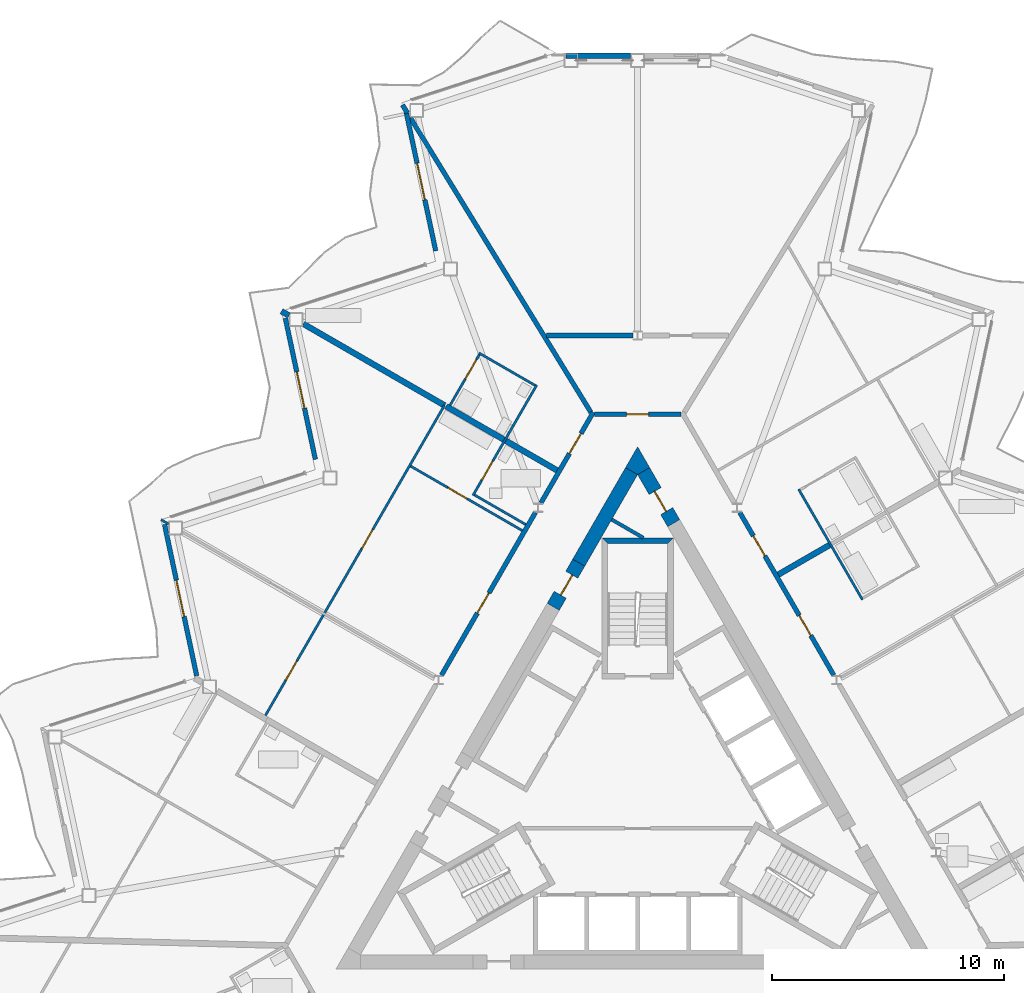
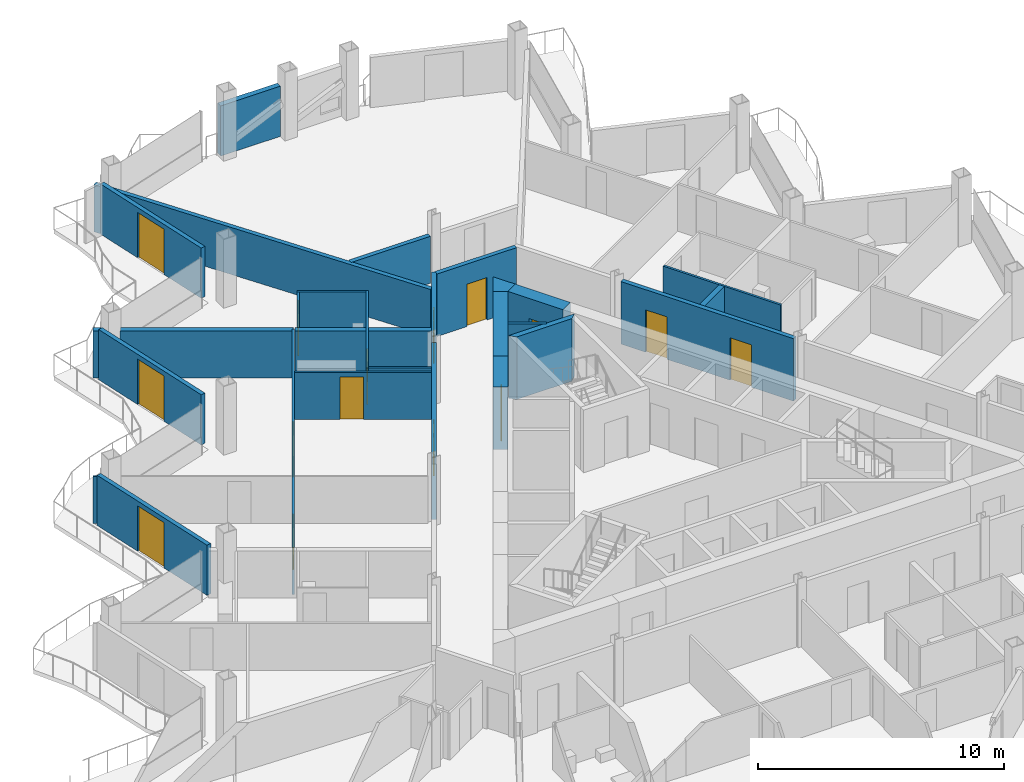
# One storey, part 18 of 28: 29 walls, 15 doors, 15 openings.
"""IFC4 building model written with IfcOpenShell, lengths in metres."""

from ifc_helpers import new_model, si_unit, direction, frame, frame_2d, origin, place, context, subcontext, project, spatial, polyline, rectangle, outline, extrude, material, layer, layer_set, type_object, element, fill, save


model = new_model("IFC4")

# Units and contexts
model_context = context("Model", 3, precision=1e-05, world=origin(), true_north=direction((0.0, 1.0)))
body_context = subcontext(model_context, "Body", "Model", "MODEL_VIEW")
ifc_project = project(units=[si_unit("LENGTHUNIT", "METRE"), si_unit("AREAUNIT", "SQUARE_METRE"), si_unit("VOLUMEUNIT", "CUBIC_METRE"), si_unit("PLANEANGLEUNIT", "RADIAN"), si_unit("MASSUNIT", "GRAM", prefix="KILO")], contexts=[model_context])

# Site, building, storey
site_placement = place(None, origin())
site = spatial("IfcSite", under=ifc_project, at=site_placement, CompositionType="ELEMENT")
building_placement = place(site_placement, origin())
building = spatial("IfcBuilding", under=site, at=building_placement, Name="Cormorant Prow Tower", CompositionType="ELEMENT")
storey_placement = place(building_placement, frame((0.0, 0.0, 308.60009765625)))
storey = spatial("IfcBuildingStorey", under=building, at=storey_placement, Name="L67", CompositionType="ELEMENT", Elevation=308.60009765625)

# Walls
ifc_material_1 = material(Name="Gypsum board partition")
ifc_layer_1 = layer(ifc_material_1, 0.14990234375)
ifc_layer_set_1 = layer_set([ifc_layer_1], Name="Gypsum board partition")
wall_type_1 = type_object("IfcWallType", Name="Core partition 150", PredefinedType="PARTITIONING", material=ifc_layer_set_1)
wall_1_placement = place(storey_placement, frame((-1.119140625, 11.872802734375, 0.0), z_axis=(0.0, 0.0, 1.0), x_axis=(0.865992812752, -0.500056445075, 0.0)))
element("IfcWall", 1, at=wall_1_placement, inside=storey, type_object=wall_type_1, Name="Service room partition", PredefinedType="PARTITIONING", context=body_context, shape_type="SweptSolid", body=[
    extrude(rectangle(XDim=1.581787109375, YDim=0.14990234375, at=frame_2d((0.791015625, 0.0))), origin(), (0.0, 0.0, 1.0), 3.099853515625),
])
ifc_material_2 = material(Name="Concrete 8000 psi", Category="concrete")
ifc_layer_2 = layer(ifc_material_2, 0.60009765625)
ifc_layer_set_2 = layer_set([ifc_layer_2], Name="Concrete 8000 psi")
wall_type_2 = type_object("IfcWallType", Name="Core shear wall 600", PredefinedType="SHEAR", material=ifc_layer_set_2)
wall_2_placement = place(storey_placement, frame((-0.259765625, 13.961181640625, 0.0), z_axis=(0.0, 0.0, 1.0), x_axis=(-0.499980485389, -0.866036670257, 0.0)))
element("IfcWall", 2, at=wall_2_placement, inside=storey, type_object=wall_type_2, Name="Core wall", PredefinedType="SHEAR", context=body_context, shape_type="SweptSolid", body=[
    extrude(rectangle(XDim=4.559326171875, YDim=0.60009765625, at=frame_2d((2.27978515625, 0.0))), origin(), (0.0, 0.0, 1.0), 3.099853515625),
])
wall_3_placement = place(storey_placement, origin())
element("IfcWall", 3, at=wall_3_placement, inside=storey, type_object=wall_type_2, Name="Core wall corner", PredefinedType="SHEAR", context=body_context, shape_type="SweptSolid", body=[
    extrude(outline(polyline([(-0.51953125, 14.111083984375), (0.0, 15.010986328125), (0.51953125, 14.111083984375), (0.0, 13.81103515625), (-0.51953125, 14.111083984375)])), origin(), (0.0, 0.0, 1.0), 3.099853515625),
])

# Wall, opening, door
wall_4_placement = place(storey_placement, frame((-2.539306640625, 10.0126953125, 0.0), z_axis=(0.0, 0.0, 1.0), x_axis=(-0.50002983664, -0.866008176907, 0.0)))
wall_4 = element("IfcWall", 4, at=wall_4_placement, inside=storey, type_object=wall_type_2, Name="Core wall door panel", PredefinedType="SHEAR", context=body_context, shape_type="SweptSolid", body=[
    extrude(rectangle(XDim=2.199951171875, YDim=0.60009765625, at=frame_2d((1.10009765625, 0.0))), origin(), (0.0, 0.0, 1.0), 3.099853515625),
])
opening_1_placement = place(wall_4_placement, frame((0.60009765625, 0.0, 0.0)))
opening_1 = element("IfcOpeningElement", 5, at=opening_1_placement, cuts=wall_4, Name="Opening L67-C19", PredefinedType="OPENING", context=body_context, shape_type="SweptSolid", body=[
    extrude(rectangle(XDim=1.0, YDim=2.10009765625, at=frame_2d((0.5, 1.050048828125))), frame((0.0, 0.31005859375, 0.0), z_axis=(0.0, -1.0, 0.0), x_axis=(1.0, 0.0, 0.0)), (0.0, 0.0, 1.0), 0.6201171875),
])
ifc_material_3 = material(Name="Painted steel", Category="steel")
door_type_1 = type_object("IfcDoorType", Name="Service door 1000x2100", OperationType="NOTDEFINED", PredefinedType="DOOR", material=ifc_material_3)
door_1_placement = place(opening_1_placement, origin())
door_1 = element("IfcDoor", 6, at=door_1_placement, inside=storey, type_object=door_type_1, Name="Core door, Telecom room", OperationType="SINGLE_SWING_LEFT", OverallHeight=2.10009765625, OverallWidth=1.0, PredefinedType="DOOR", context=body_context, shape_type="SweptSolid", body=[
    extrude(rectangle(XDim=1.0, YDim=2.10009765625, at=frame_2d((0.5, 1.050048828125))), frame((0.0, 0.05517578125, 0.0), z_axis=(0.0, -1.0, 0.0), x_axis=(1.0, 0.0, 0.0)), (0.0, 0.0, 1.0), 0.050048828125),
])
fill(opening_1, door_1)

wall_5_placement = place(storey_placement, frame((1.555908203125, 11.71630859375, 0.0), z_axis=(0.0, 0.0, 1.0), x_axis=(-0.500018667571, 0.866014625789, 0.0)))
wall_5 = element("IfcWall", 7, at=wall_5_placement, inside=storey, type_object=wall_type_2, Name="Core wall door panel", PredefinedType="SHEAR", context=body_context, shape_type="SweptSolid", body=[
    extrude(rectangle(XDim=2.59228515625, YDim=0.60009765625, at=frame_2d((1.296142578125, 0.0))), origin(), (0.0, 0.0, 1.0), 3.099853515625),
])
opening_2_placement = place(wall_5_placement, frame((0.60009765625, 0.0, 0.0)))
opening_2 = element("IfcOpeningElement", 8, at=opening_2_placement, cuts=wall_5, Name="Opening L67-C20", PredefinedType="OPENING", context=body_context, shape_type="SweptSolid", body=[
    extrude(rectangle(XDim=1.0, YDim=2.10009765625, at=frame_2d((0.5, 1.050048828125))), frame((0.0, 0.31005859375, 0.0), z_axis=(0.0, -1.0, 0.0), x_axis=(1.0, 0.0, 0.0)), (0.0, 0.0, 1.0), 0.6201171875),
])
door_2_placement = place(opening_2_placement, origin())
door_2 = element("IfcDoor", 9, at=door_2_placement, inside=storey, type_object=door_type_1, Name="Core door, Pantry store", OperationType="SINGLE_SWING_RIGHT", OverallHeight=2.10009765625, OverallWidth=1.0, PredefinedType="DOOR", context=body_context, shape_type="SweptSolid", body=[
    extrude(rectangle(XDim=1.0, YDim=2.10009765625, at=frame_2d((0.5, 1.050048828125))), frame((0.0, 0.05517578125, 0.0), z_axis=(0.0, -1.0, 0.0), x_axis=(1.0, 0.0, 0.0)), (0.0, 0.0, 1.0), 0.050048828125),
])
fill(opening_2, door_2)

# Wall, openings, doors
ifc_material_4 = material(Name="Gypsum board corridor wall")
ifc_layer_3 = layer(ifc_material_4, 0.199951171875)
ifc_layer_set_3 = layer_set([ifc_layer_3], Name="Gypsum board corridor wall")
wall_type_3 = type_object("IfcWallType", Name="Corridor wall 200", PredefinedType="PARTITIONING", material=ifc_layer_set_3)
wall_6_placement = place(storey_placement, frame((4.4091796875, 12.17431640625, 0.0), z_axis=(0.0, 0.0, 1.0), x_axis=(0.499984266882, -0.866034487114, 0.0)))
wall_6 = element("IfcWall", 10, at=wall_6_placement, inside=storey, type_object=wall_type_3, Name="Corridor wall", PredefinedType="PARTITIONING", context=body_context, shape_type="SweptSolid", body=[
    extrude(rectangle(XDim=8.098876953125, YDim=0.199951171875, at=frame_2d((4.04931640625, 0.0))), origin(), (0.0, 0.0, 1.0), 3.099853515625),
])
opening_3_placement = place(wall_6_placement, frame((5.123046875, 0.0, 0.0)))
opening_3 = element("IfcOpeningElement", 11, at=opening_3_placement, cuts=wall_6, Name="Opening L67-F26", PredefinedType="OPENING", context=body_context, shape_type="SweptSolid", body=[
    extrude(rectangle(XDim=1.0, YDim=2.10009765625, at=frame_2d((0.5, 1.050048828125))), frame((0.0, 0.10986328125, 0.0), z_axis=(0.0, -1.0, 0.0), x_axis=(1.0, 0.0, 0.0)), (0.0, 0.0, 1.0), 0.219970703125),
])
opening_4_placement = place(wall_6_placement, frame((1.16357421875, 0.0, 0.0)))
opening_4 = element("IfcOpeningElement", 12, at=opening_4_placement, cuts=wall_6, Name="Opening L67-F31", PredefinedType="OPENING", context=body_context, shape_type="SweptSolid", body=[
    extrude(rectangle(XDim=1.0, YDim=2.10009765625, at=frame_2d((0.5, 1.050048828125))), frame((0.0, 0.10986328125, 0.0), z_axis=(0.0, -1.0, 0.0), x_axis=(1.0, 0.0, 0.0)), (0.0, 0.0, 1.0), 0.219970703125),
])
ifc_material_5 = material(Name="Timber door leaf", Category="wood")
door_type_2 = type_object("IfcDoorType", Name="Flat or room entrance door 1000x2100", OperationType="NOTDEFINED", PredefinedType="DOOR", material=ifc_material_5)
door_3_placement = place(opening_3_placement, origin())
door_3 = element("IfcDoor", 13, at=door_3_placement, inside=storey, type_object=door_type_2, Name="Living room door", OperationType="SINGLE_SWING_LEFT", OverallHeight=2.10009765625, OverallWidth=1.0, PredefinedType="DOOR", context=body_context, shape_type="SweptSolid", body=[
    extrude(rectangle(XDim=1.0, YDim=2.10009765625, at=frame_2d((0.5, 1.050048828125))), frame((0.0, 0.02490234375, 0.0), z_axis=(0.0, -1.0, 0.0), x_axis=(1.0, 0.0, 0.0)), (0.0, 0.0, 1.0), 0.050048828125),
])
fill(opening_3, door_3)
door_4_placement = place(opening_4_placement, origin())
door_4 = element("IfcDoor", 14, at=door_4_placement, inside=storey, type_object=door_type_2, Name="Living room door", OperationType="SINGLE_SWING_RIGHT", OverallHeight=2.10009765625, OverallWidth=1.0, PredefinedType="DOOR", context=body_context, shape_type="SweptSolid", body=[
    extrude(rectangle(XDim=1.0, YDim=2.10009765625, at=frame_2d((0.5, 1.050048828125))), frame((0.0, 0.02490234375, 0.0), z_axis=(0.0, -1.0, 0.0), x_axis=(1.0, 0.0, 0.0)), (0.0, 0.0, 1.0), 0.050048828125),
])
fill(opening_4, door_4)

# Wall, opening, door
wall_7_placement = place(storey_placement, frame((-8.45849609375, 5.160400390625, 0.0), z_axis=(0.0, 0.0, 1.0), x_axis=(0.499984266882, 0.866034487114, 0.0)))
wall_7 = element("IfcWall", 15, at=wall_7_placement, inside=storey, type_object=wall_type_3, Name="Corridor wall", PredefinedType="PARTITIONING", context=body_context, shape_type="SweptSolid", body=[
    extrude(rectangle(XDim=8.098876953125, YDim=0.199951171875, at=frame_2d((4.04931640625, 0.0))), origin(), (0.0, 0.0, 1.0), 3.099853515625),
])
opening_5_placement = place(wall_7_placement, frame((3.092529296875, 0.0, 0.0)))
opening_5 = element("IfcOpeningElement", 16, at=opening_5_placement, cuts=wall_7, Name="Opening L67-F40", PredefinedType="OPENING", context=body_context, shape_type="SweptSolid", body=[
    extrude(rectangle(XDim=1.0, YDim=2.10009765625, at=frame_2d((0.5, 1.050048828125))), frame((0.0, 0.10986328125, 0.0), z_axis=(0.0, -1.0, 0.0), x_axis=(1.0, 0.0, 0.0)), (0.0, 0.0, 1.0), 0.219970703125),
])
door_5_placement = place(opening_5_placement, origin())
door_5 = element("IfcDoor", 17, at=door_5_placement, inside=storey, type_object=door_type_2, Name="Living room door", OperationType="SINGLE_SWING_RIGHT", OverallHeight=2.10009765625, OverallWidth=1.0, PredefinedType="DOOR", context=body_context, shape_type="SweptSolid", body=[
    extrude(rectangle(XDim=1.0, YDim=2.10009765625, at=frame_2d((0.5, 1.050048828125))), frame((0.0, 0.02490234375, 0.0), z_axis=(0.0, -1.0, 0.0), x_axis=(1.0, 0.0, 0.0)), (0.0, 0.0, 1.0), 0.050048828125),
])
fill(opening_5, door_5)

wall_8_placement = place(storey_placement, frame((-4.169189453125, 12.589599609375, 0.0), z_axis=(0.0, 0.0, 1.0), x_axis=(0.499950370306, 0.866054055606, 0.0)))
wall_8 = element("IfcWall", 18, at=wall_8_placement, inside=storey, type_object=wall_type_3, Name="Corridor wall", PredefinedType="PARTITIONING", context=body_context, shape_type="SweptSolid", body=[
    extrude(rectangle(XDim=4.5126953125, YDim=0.199951171875, at=frame_2d((2.25634765625, 0.0))), origin(), (0.0, 0.0, 1.0), 3.099853515625),
])
opening_6_placement = place(wall_8_placement, frame((2.459228515625, 0.0, 0.0)))
opening_6 = element("IfcOpeningElement", 19, at=opening_6_placement, cuts=wall_8, Name="Opening L67-F38", PredefinedType="OPENING", context=body_context, shape_type="SweptSolid", body=[
    extrude(rectangle(XDim=1.0, YDim=2.10009765625, at=frame_2d((0.5, 1.050048828125))), frame((0.0, 0.10986328125, 0.0), z_axis=(0.0, -1.0, 0.0), x_axis=(1.0, 0.0, 0.0)), (0.0, 0.0, 1.0), 0.219970703125),
])
door_6_placement = place(opening_6_placement, origin())
door_6 = element("IfcDoor", 20, at=door_6_placement, inside=storey, type_object=door_type_2, Name="Studio living, kitchen and sleeping room door", OperationType="SINGLE_SWING_LEFT", OverallHeight=2.10009765625, OverallWidth=1.0, PredefinedType="DOOR", context=body_context, shape_type="SweptSolid", body=[
    extrude(rectangle(XDim=1.0, YDim=2.10009765625, at=frame_2d((0.5, 1.050048828125))), frame((0.0, 0.02490234375, 0.0), z_axis=(0.0, -1.0, 0.0), x_axis=(1.0, 0.0, 0.0)), (0.0, 0.0, 1.0), 0.050048828125),
])
fill(opening_6, door_6)

wall_9_placement = place(storey_placement, frame((-1.863037109375, 16.4111328125, 0.0), z_axis=(0.0, 0.0, 1.0), x_axis=(1.0, 0.0, 0.0)))
wall_9 = element("IfcWall", 21, at=wall_9_placement, inside=storey, type_object=wall_type_3, Name="Corridor wall", PredefinedType="PARTITIONING", context=body_context, shape_type="SweptSolid", body=[
    extrude(rectangle(XDim=3.72607421875, YDim=0.199951171875, at=frame_2d((1.863037109375, 0.0))), origin(), (0.0, 0.0, 1.0), 3.099853515625),
])
opening_7_placement = place(wall_9_placement, frame((1.387939453125, 0.0, 0.0)))
opening_7 = element("IfcOpeningElement", 22, at=opening_7_placement, cuts=wall_9, Name="Opening L67-F36", PredefinedType="OPENING", context=body_context, shape_type="SweptSolid", body=[
    extrude(rectangle(XDim=0.949951171875, YDim=2.10009765625, at=frame_2d((0.47509765625, 1.050048828125))), frame((0.0, 0.10986328125, 0.0), z_axis=(0.0, -1.0, 0.0), x_axis=(1.0, 0.0, 0.0)), (0.0, 0.0, 1.0), 0.219970703125),
])
ifc_material_6 = material(Name="Timber door leaf", Category="wood")
door_type_3 = type_object("IfcDoorType", Name="Store door 950x2100", OperationType="NOTDEFINED", PredefinedType="DOOR", material=ifc_material_6)
door_7_placement = place(opening_7_placement, origin())
door_7 = element("IfcDoor", 23, at=door_7_placement, inside=storey, type_object=door_type_3, Name="Bicycle store door", OperationType="SINGLE_SWING_RIGHT", OverallHeight=2.10009765625, OverallWidth=0.949951171875, PredefinedType="DOOR", context=body_context, shape_type="SweptSolid", body=[
    extrude(rectangle(XDim=0.949951171875, YDim=2.10009765625, at=frame_2d((0.47509765625, 1.050048828125))), frame((0.0, 0.02490234375, 0.0), z_axis=(0.0, -1.0, 0.0), x_axis=(1.0, 0.0, 0.0)), (0.0, 0.0, 1.0), 0.050048828125),
])
fill(opening_7, door_7)

# Walls
ifc_material_7 = material(Name="Gypsum board demising wall")
ifc_layer_4 = layer(ifc_material_7, 0.199951171875)
ifc_layer_set_4 = layer_set([ifc_layer_4], Name="Gypsum board demising wall")
wall_type_4 = type_object("IfcWallType", Name="Demising wall 200", PredefinedType="PARTITIONING", material=ifc_layer_set_4)
wall_10_placement = place(storey_placement, frame((-9.802490234375, 29.2041015625, 0.0), z_axis=(0.0, 0.0, 1.0), x_axis=(0.522487920222, -0.852646687217, 0.0)))
element("IfcWall", 24, at=wall_10_placement, inside=storey, type_object=wall_type_4, Name="Demising wall", PredefinedType="PARTITIONING", context=body_context, shape_type="SweptSolid", body=[
    extrude(rectangle(XDim=14.90380859375, YDim=0.199951171875, at=frame_2d((7.451904296875, 0.0))), origin(), (0.0, 0.0, 1.0), 2.330078125),
])
wall_11_placement = place(storey_placement, frame((-3.926025390625, 19.81103515625, 0.0), z_axis=(0.0, 0.0, 1.0), x_axis=(1.0, 0.0, 0.0)))
element("IfcWall", 25, at=wall_11_placement, inside=storey, type_object=wall_type_4, Name="Demising wall", PredefinedType="PARTITIONING", context=body_context, shape_type="SweptSolid", body=[
    extrude(rectangle(XDim=3.71826171875, YDim=0.199951171875, at=frame_2d((1.859130859375, 0.0))), origin(), (0.0, 0.0, 1.0), 2.330078125),
])
wall_12_placement = place(storey_placement, frame((-10.13916015625, 29.75390625, 0.0), z_axis=(0.0, 0.0, 1.0), x_axis=(0.522224976177, -0.852807759262, 0.0)))
element("IfcWall", 26, at=wall_12_placement, inside=storey, type_object=wall_type_4, Name="Demising wall", PredefinedType="PARTITIONING", context=body_context, shape_type="SweptSolid", body=[
    extrude(rectangle(XDim=0.40771484375, YDim=0.199951171875, at=frame_2d((0.203857421875, 0.0))), origin(), (0.0, 0.0, 1.0), 2.330078125),
])

# Wall, openings, doors
ifc_material_8 = material(Name="Gypsum board partition")
ifc_layer_5 = layer(ifc_material_8, 0.10009765625)
ifc_layer_set_5 = layer_set([ifc_layer_5], Name="Gypsum board partition")
wall_type_5 = type_object("IfcWallType", Name="Internal partition 100", PredefinedType="PARTITIONING", material=ifc_layer_set_5)
wall_13_placement = place(storey_placement, frame((-16.053955078125, 3.419189453125, 0.0), z_axis=(0.0, 0.0, 1.0), x_axis=(0.499999256795, 0.866025832873, 0.0)))
wall_13 = element("IfcWall", 27, at=wall_13_placement, inside=storey, type_object=wall_type_5, Name="Internal partition", PredefinedType="PARTITIONING", context=body_context, shape_type="SweptSolid", body=[
    extrude(rectangle(XDim=15.44775390625, YDim=0.10009765625, at=frame_2d((7.723876953125, 0.0))), origin(), (0.0, 0.0, 1.0), 2.330078125),
])
opening_8_placement = place(wall_13_placement, frame((8.306396484375, 0.0, 0.0)))
opening_8 = element("IfcOpeningElement", 28, at=opening_8_placement, cuts=wall_13, Name="Opening L67-F42", PredefinedType="OPENING", context=body_context, shape_type="SweptSolid", body=[
    extrude(rectangle(XDim=0.949951171875, YDim=2.10009765625, at=frame_2d((0.47509765625, 1.050048828125))), frame((0.0, 0.06005859375, 0.0), z_axis=(0.0, -1.0, 0.0), x_axis=(1.0, 0.0, 0.0)), (0.0, 0.0, 1.0), 0.1201171875),
])
opening_9_placement = place(wall_13_placement, frame((1.760498046875, 0.0, 0.0)))
opening_9 = element("IfcOpeningElement", 29, at=opening_9_placement, cuts=wall_13, Name="Opening L67-F44", PredefinedType="OPENING", context=body_context, shape_type="SweptSolid", body=[
    extrude(rectangle(XDim=0.949951171875, YDim=2.10009765625, at=frame_2d((0.47509765625, 1.050048828125))), frame((0.0, 0.06005859375, 0.0), z_axis=(0.0, -1.0, 0.0), x_axis=(1.0, 0.0, 0.0)), (0.0, 0.0, 1.0), 0.1201171875),
])
ifc_material_9 = material(Name="Timber door leaf", Category="wood")
door_type_4 = type_object("IfcDoorType", Name="Bathroom door 950x2100", OperationType="NOTDEFINED", PredefinedType="DOOR", material=ifc_material_9)
door_8_placement = place(opening_8_placement, origin())
door_8 = element("IfcDoor", 30, at=door_8_placement, inside=storey, type_object=door_type_4, Name="Living room door", OperationType="SINGLE_SWING_RIGHT", OverallHeight=2.10009765625, OverallWidth=0.949951171875, PredefinedType="DOOR", context=body_context, shape_type="SweptSolid", body=[
    extrude(rectangle(XDim=0.949951171875, YDim=2.10009765625, at=frame_2d((0.47509765625, 1.050048828125))), frame((0.0, 0.02490234375, 0.0), z_axis=(0.0, -1.0, 0.0), x_axis=(1.0, 0.0, 0.0)), (0.0, 0.0, 1.0), 0.050048828125),
])
fill(opening_8, door_8)
door_9_placement = place(opening_9_placement, origin())
door_9 = element("IfcDoor", 31, at=door_9_placement, inside=storey, type_object=door_type_4, Name="Bedroom door", OperationType="SINGLE_SWING_LEFT", OverallHeight=2.10009765625, OverallWidth=0.949951171875, PredefinedType="DOOR", context=body_context, shape_type="SweptSolid", body=[
    extrude(rectangle(XDim=0.949951171875, YDim=2.10009765625, at=frame_2d((0.47509765625, 1.050048828125))), frame((0.0, 0.02490234375, 0.0), z_axis=(0.0, -1.0, 0.0), x_axis=(1.0, 0.0, 0.0)), (0.0, 0.0, 1.0), 0.050048828125),
])
fill(opening_9, door_9)

# Wall, opening, door
wall_14_placement = place(storey_placement, frame((-9.786865234375, 14.17431640625, 0.0), z_axis=(0.0, 0.0, 1.0), x_axis=(0.866031222068, -0.499989922303, 0.0)))
wall_14 = element("IfcWall", 32, at=wall_14_placement, inside=storey, type_object=wall_type_5, Name="Internal partition", PredefinedType="PARTITIONING", context=body_context, shape_type="SweptSolid", body=[
    extrude(rectangle(XDim=5.55712890625, YDim=0.10009765625, at=frame_2d((2.778564453125, 0.0))), origin(), (0.0, 0.0, 1.0), 2.330078125),
])
opening_10_placement = place(wall_14_placement, frame((1.852783203125, 0.0, 0.0)))
opening_10 = element("IfcOpeningElement", 33, at=opening_10_placement, cuts=wall_14, Name="Opening L67-F41", PredefinedType="OPENING", context=body_context, shape_type="SweptSolid", body=[
    extrude(rectangle(XDim=0.949951171875, YDim=2.10009765625, at=frame_2d((0.47509765625, 1.050048828125))), frame((0.0, 0.06005859375, 0.0), z_axis=(0.0, -1.0, 0.0), x_axis=(1.0, 0.0, 0.0)), (0.0, 0.0, 1.0), 0.1201171875),
])
door_10_placement = place(opening_10_placement, origin())
door_10 = element("IfcDoor", 34, at=door_10_placement, inside=storey, type_object=door_type_4, Name="Living room door", OperationType="SINGLE_SWING_RIGHT", OverallHeight=2.10009765625, OverallWidth=0.949951171875, PredefinedType="DOOR", context=body_context, shape_type="SweptSolid", body=[
    extrude(rectangle(XDim=0.949951171875, YDim=2.10009765625, at=frame_2d((0.47509765625, 1.050048828125))), frame((0.0, 0.02490234375, 0.0), z_axis=(0.0, -1.0, 0.0), x_axis=(1.0, 0.0, 0.0)), (0.0, 0.0, 1.0), 0.050048828125),
])
fill(opening_10, door_10)

wall_15_placement = place(storey_placement, frame((-7.100830078125, 12.912109375, 0.0), z_axis=(0.0, 0.0, 1.0), x_axis=(0.499996545922, 0.866027397988, 0.0)))
wall_15 = element("IfcWall", 35, at=wall_15_placement, inside=storey, type_object=wall_type_5, Name="Internal partition", PredefinedType="PARTITIONING", context=body_context, shape_type="SweptSolid", body=[
    extrude(rectangle(XDim=5.5, YDim=0.10009765625, at=frame_2d((2.75, 0.0))), origin(), (0.0, 0.0, 1.0), 2.330078125),
])
opening_11_placement = place(wall_15_placement, frame((0.75634765625, 0.0, 0.0)))
opening_11 = element("IfcOpeningElement", 36, at=opening_11_placement, cuts=wall_15, Name="Opening L67-F45", PredefinedType="OPENING", context=body_context, shape_type="SweptSolid", body=[
    extrude(rectangle(XDim=0.949951171875, YDim=2.10009765625, at=frame_2d((0.47509765625, 1.050048828125))), frame((0.0, 0.06005859375, 0.0), z_axis=(0.0, -1.0, 0.0), x_axis=(1.0, 0.0, 0.0)), (0.0, 0.0, 1.0), 0.1201171875),
])
door_11_placement = place(opening_11_placement, origin())
door_11 = element("IfcDoor", 37, at=door_11_placement, inside=storey, type_object=door_type_4, Name="Kitchen door", OperationType="SINGLE_SWING_LEFT", OverallHeight=2.10009765625, OverallWidth=0.949951171875, PredefinedType="DOOR", context=body_context, shape_type="SweptSolid", body=[
    extrude(rectangle(XDim=0.949951171875, YDim=2.10009765625, at=frame_2d((0.47509765625, 1.050048828125))), frame((0.0, 0.02490234375, 0.0), z_axis=(0.0, -1.0, 0.0), x_axis=(1.0, 0.0, 0.0)), (0.0, 0.0, 1.0), 0.050048828125),
])
fill(opening_11, door_11)

# Walls
wall_16_placement = place(storey_placement, frame((6.9462890625, 13.1796875, 0.0), z_axis=(0.0, 0.0, 1.0), x_axis=(0.500015767406, -0.866016300277, 0.0)))
element("IfcWall", 38, at=wall_16_placement, inside=storey, type_object=wall_type_5, Name="Internal partition", PredefinedType="PARTITIONING", context=body_context, shape_type="SweptSolid", body=[
    extrude(rectangle(XDim=5.499755859375, YDim=0.10009765625, at=frame_2d((2.75, 0.0))), origin(), (0.0, 0.0, 1.0), 2.330078125),
])
wall_17_placement = place(storey_placement, frame((-6.843994140625, 19.056884765625, 0.0), z_axis=(0.0, 0.0, 1.0), x_axis=(0.866034573852, -0.49998411664, 0.0)))
element("IfcWall", 39, at=wall_17_placement, inside=storey, type_object=wall_type_5, Name="Internal partition", PredefinedType="PARTITIONING", context=body_context, shape_type="SweptSolid", body=[
    extrude(rectangle(XDim=2.7998046875, YDim=0.10009765625, at=frame_2d((1.39990234375, 0.0))), origin(), (0.0, 0.0, 1.0), 2.330078125),
])
wall_18_placement = place(storey_placement, frame((-7.032470703125, 12.930419921875, 0.0), z_axis=(0.0, 0.0, 1.0), x_axis=(0.866030925526, -0.499990435942, 0.0)))
element("IfcWall", 40, at=wall_18_placement, inside=storey, type_object=wall_type_5, Name="Internal partition", PredefinedType="PARTITIONING", context=body_context, shape_type="SweptSolid", body=[
    extrude(rectangle(XDim=2.5498046875, YDim=0.10009765625, at=frame_2d((1.27490234375, 0.0))), origin(), (0.0, 0.0, 1.0), 2.330078125),
])

# Wall, opening, door
wall_19_placement = place(storey_placement, frame((-8.088134765625, 16.802001953125, 0.0), z_axis=(0.0, 0.0, 1.0), x_axis=(0.499976333282, 0.866039067339, 0.0)))
wall_19 = element("IfcWall", 41, at=wall_19_placement, inside=storey, type_object=wall_type_5, Name="Internal partition", PredefinedType="PARTITIONING", context=body_context, shape_type="SweptSolid", body=[
    extrude(rectangle(XDim=2.52490234375, YDim=0.10009765625, at=frame_2d((1.262451171875, 0.0))), origin(), (0.0, 0.0, 1.0), 2.330078125),
])
opening_12_placement = place(wall_19_placement, frame((1.324951171875, 0.0, 0.0)))
opening_12 = element("IfcOpeningElement", 42, at=opening_12_placement, cuts=wall_19, Name="Opening L67-F39", PredefinedType="OPENING", context=body_context, shape_type="SweptSolid", body=[
    extrude(rectangle(XDim=0.949951171875, YDim=2.10009765625, at=frame_2d((0.47509765625, 1.050048828125))), frame((0.0, 0.06005859375, 0.0), z_axis=(0.0, -1.0, 0.0), x_axis=(1.0, 0.0, 0.0)), (0.0, 0.0, 1.0), 0.1201171875),
])
door_12_placement = place(opening_12_placement, origin())
door_12 = element("IfcDoor", 43, at=door_12_placement, inside=storey, type_object=door_type_4, Name="Studio living, kitchen and sleeping room door", OperationType="SINGLE_SWING_RIGHT", OverallHeight=2.10009765625, OverallWidth=0.949951171875, PredefinedType="DOOR", context=body_context, shape_type="SweptSolid", body=[
    extrude(rectangle(XDim=0.949951171875, YDim=2.10009765625, at=frame_2d((0.47509765625, 1.050048828125))), frame((0.0, 0.02490234375, 0.0), z_axis=(0.0, -1.0, 0.0), x_axis=(1.0, 0.0, 0.0)), (0.0, 0.0, 1.0), 0.050048828125),
])
fill(opening_12, door_12)

# Walls
wall_20_placement = place(storey_placement, frame((-20.5498046875, 11.864501953125, 0.0), z_axis=(0.0, 0.0, 1.0), x_axis=(0.866039913117, -0.499974868256, 0.0)))
element("IfcWall", 44, at=wall_20_placement, inside=storey, type_object=wall_type_5, Name="Internal partition", PredefinedType="PARTITIONING", context=body_context, shape_type="SweptSolid", body=[
    extrude(rectangle(XDim=0.36279296875, YDim=0.10009765625, at=frame_2d((0.181396484375, 0.0))), origin(), (0.0, 0.0, 1.0), 2.330078125),
])
ifc_material_10 = material(Name="Concrete 8000 psi", Category="concrete")
ifc_layer_6 = layer(ifc_material_10, 0.25)
ifc_layer_set_6 = layer_set([ifc_layer_6], Name="Concrete 8000 psi")
wall_type_6 = type_object("IfcWallType", Name="Stair wall 250", PredefinedType="SHEAR", material=ifc_layer_set_6)
wall_21_placement = place(storey_placement, origin())
element("IfcWall", 45, at=wall_21_placement, inside=storey, type_object=wall_type_6, Name="Stair ST3 enclosure wall (end)", PredefinedType="SHEAR", context=body_context, shape_type="SweptSolid", body=[
    extrude(outline(polyline([(1.5439453125, 11.0869140625), (-1.5439453125, 11.0869140625), (-1.2939453125, 10.8369140625), (1.2939453125, 10.8369140625), (1.5439453125, 11.0869140625)])), origin(), (0.0, 0.0, 1.0), 3.099853515625),
])
ifc_material_11 = material(Name="Acoustic gypsum party wall")
ifc_layer_7 = layer(ifc_material_11, 0.25)
ifc_layer_set_7 = layer_set([ifc_layer_7], Name="Acoustic gypsum party wall")
wall_type_7 = type_object("IfcWallType", Name="Suite party wall 250", PredefinedType="PARTITIONING", material=ifc_layer_set_7)
wall_22_placement = place(storey_placement, frame((-14.41650390625, 20.311279296875, 0.0), z_axis=(0.0, 0.0, 1.0), x_axis=(0.866027308682, -0.499996700606, 0.0)))
element("IfcWall", 46, at=wall_22_placement, inside=storey, type_object=wall_type_7, Name="Suite party wall", PredefinedType="PARTITIONING", context=body_context, shape_type="SweptSolid", body=[
    extrude(rectangle(XDim=7.0380859375, YDim=0.25, at=frame_2d((3.51904296875, 0.0))), origin(), (0.0, 0.0, 1.0), 2.330078125),
])
wall_23_placement = place(storey_placement, frame((-8.2587890625, 16.75634765625, 0.0), z_axis=(0.0, 0.0, 1.0), x_axis=(0.866023692682, -0.500002963705, 0.0)))
element("IfcWall", 47, at=wall_23_placement, inside=storey, type_object=wall_type_7, Name="Suite party wall", PredefinedType="PARTITIONING", context=body_context, shape_type="SweptSolid", body=[
    extrude(rectangle(XDim=5.52490234375, YDim=0.25, at=frame_2d((2.762451171875, 0.0))), origin(), (0.0, 0.0, 1.0), 2.330078125),
])
wall_24_placement = place(storey_placement, frame((6.069580078125, 9.498291015625, 0.0), z_axis=(0.0, 0.0, 1.0), x_axis=(0.866054858364, 0.499948979701, 0.0)))
element("IfcWall", 48, at=wall_24_placement, inside=storey, type_object=wall_type_7, Name="Suite party wall", PredefinedType="PARTITIONING", context=body_context, shape_type="SweptSolid", body=[
    extrude(rectangle(XDim=2.550048828125, YDim=0.25, at=frame_2d((1.27490234375, 0.0))), origin(), (0.0, 0.0, 1.0), 2.330078125),
])
wall_25_placement = place(storey_placement, frame((-15.35888671875, 20.85546875, 0.0), z_axis=(0.0, 0.0, 1.0), x_axis=(0.865770353626, -0.500441499861, 0.0)))
element("IfcWall", 49, at=wall_25_placement, inside=storey, type_object=wall_type_7, Name="Suite party wall", PredefinedType="PARTITIONING", context=body_context, shape_type="SweptSolid", body=[
    extrude(rectangle(XDim=0.372314453125, YDim=0.25, at=frame_2d((0.18603515625, 0.0))), origin(), (0.0, 0.0, 1.0), 2.330078125),
])
ifc_material_12 = material(Name="Terracotta", Category="masonry")
ifc_layer_8 = layer(ifc_material_12, 0.25)
ifc_layer_set_8 = layer_set([ifc_layer_8], Name="Terracotta")
wall_type_8 = type_object("IfcWallType", Name="Terracotta bay wall 250", PredefinedType="SOLIDWALL", material=ifc_layer_set_8)
wall_26_placement = place(storey_placement, frame((-0.300048828125, 31.8798828125, 0.0), z_axis=(0.0, 0.0, 1.0), x_axis=(-1.0, 0.0, 0.0)))
element("IfcWall", 50, at=wall_26_placement, inside=storey, type_object=wall_type_8, Name="Terracotta bay wall N01", PredefinedType="SOLIDWALL", context=body_context, shape_type="SweptSolid", body=[
    extrude(rectangle(XDim=2.790771484375, YDim=0.25, at=frame_2d((1.3955078125, 0.0))), origin(), (0.0, 0.0, 1.0), 2.48779296875),
])

# Wall, opening, door
ifc_material_13 = material(Name="Terracotta", Category="masonry")
ifc_layer_9 = layer(ifc_material_13, 0.199951171875)
ifc_layer_set_9 = layer_set([ifc_layer_9], Name="Terracotta")
wall_type_9 = type_object("IfcWallType", Name="Terracotta jamb wall 200", PredefinedType="SOLIDWALL", material=ifc_layer_set_9)
wall_27_placement = place(storey_placement, frame((-9.97998046875, 29.442626953125, 0.0), z_axis=(0.0, 0.0, 1.0), x_axis=(0.20793703803, -0.978142212674, 0.0)))
wall_27 = element("IfcWall", 51, at=wall_27_placement, inside=storey, type_object=wall_type_9, Name="Terracotta jamb wall WNW01", PredefinedType="SOLIDWALL", context=body_context, shape_type="SweptSolid", body=[
    extrude(rectangle(XDim=6.1171875, YDim=0.199951171875, at=frame_2d((3.05859375, 0.0))), origin(), (0.0, 0.0, 1.0), 2.48779296875),
])
opening_13_placement = place(wall_27_placement, frame((2.258544921875, 0.0, 0.0)))
opening_13 = element("IfcOpeningElement", 52, at=opening_13_placement, cuts=wall_27, Name="Opening ED67.11", PredefinedType="OPENING", context=body_context, shape_type="SweptSolid", body=[
    extrude(rectangle(XDim=1.60009765625, YDim=2.25, at=frame_2d((0.800048828125, 1.125))), frame((0.0, 0.10986328125, 0.0), z_axis=(0.0, -1.0, 0.0), x_axis=(1.0, 0.0, 0.0)), (0.0, 0.0, 1.0), 0.219970703125),
])
ifc_material_14 = material(Name="Aluminium 6063-T6", Category="aluminium")
door_type_5 = type_object("IfcDoorType", Name="Balcony door 1600x2250", OperationType="DOUBLE_DOOR_SINGLE_SWING", PredefinedType="DOOR", material=ifc_material_14)
door_13_placement = place(opening_13_placement, origin())
door_13 = element("IfcDoor", 53, at=door_13_placement, inside=storey, type_object=door_type_5, Name="Balcony door WNW01 ED67.11", OperationType="DOUBLE_DOOR_SINGLE_SWING", OverallHeight=2.25, OverallWidth=1.60009765625, PredefinedType="DOOR", context=body_context, shape_type="SweptSolid", body=[
    extrude(rectangle(XDim=1.60009765625, YDim=2.25, at=frame_2d((0.800048828125, 1.125))), frame((0.0, 0.02490234375, 0.0), z_axis=(0.0, -1.0, 0.0), x_axis=(1.0, 0.0, 0.0)), (0.0, 0.0, 1.0), 0.050048828125),
])
fill(opening_13, door_13)

wall_28_placement = place(storey_placement, frame((-15.1923828125, 20.55322265625, 0.0), z_axis=(0.0, 0.0, 1.0), x_axis=(0.207920712138, -0.97814568315, 0.0)))
wall_28 = element("IfcWall", 54, at=wall_28_placement, inside=storey, type_object=wall_type_9, Name="Terracotta jamb wall WNW03", PredefinedType="SOLIDWALL", context=body_context, shape_type="SweptSolid", body=[
    extrude(rectangle(XDim=6.220947265625, YDim=0.199951171875, at=frame_2d((3.1103515625, 0.0))), origin(), (0.0, 0.0, 1.0), 2.48779296875),
])
opening_14_placement = place(wall_28_placement, frame((2.3623046875, 0.0, 0.0)))
opening_14 = element("IfcOpeningElement", 55, at=opening_14_placement, cuts=wall_28, Name="Opening ED67.12", PredefinedType="OPENING", context=body_context, shape_type="SweptSolid", body=[
    extrude(rectangle(XDim=1.60009765625, YDim=2.25, at=frame_2d((0.800048828125, 1.125))), frame((0.0, 0.10986328125, 0.0), z_axis=(0.0, -1.0, 0.0), x_axis=(1.0, 0.0, 0.0)), (0.0, 0.0, 1.0), 0.219970703125),
])
door_14_placement = place(opening_14_placement, origin())
door_14 = element("IfcDoor", 56, at=door_14_placement, inside=storey, type_object=door_type_5, Name="Balcony door WNW03 ED67.12", OperationType="DOUBLE_DOOR_SINGLE_SWING", OverallHeight=2.25, OverallWidth=1.60009765625, PredefinedType="DOOR", context=body_context, shape_type="SweptSolid", body=[
    extrude(rectangle(XDim=1.60009765625, YDim=2.25, at=frame_2d((0.800048828125, 1.125))), frame((0.0, 0.02490234375, 0.0), z_axis=(0.0, -1.0, 0.0), x_axis=(1.0, 0.0, 0.0)), (0.0, 0.0, 1.0), 0.050048828125),
])
fill(opening_14, door_14)

wall_29_placement = place(storey_placement, frame((-20.404296875, 11.660888671875, 0.0), z_axis=(0.0, 0.0, 1.0), x_axis=(0.207893301034, -0.978151509422, 0.0)))
wall_29 = element("IfcWall", 57, at=wall_29_placement, inside=storey, type_object=wall_type_9, Name="Terracotta jamb wall WNW05", PredefinedType="SOLIDWALL", context=body_context, shape_type="SweptSolid", body=[
    extrude(rectangle(XDim=6.677490234375, YDim=0.199951171875, at=frame_2d((3.3388671875, 0.0))), origin(), (0.0, 0.0, 1.0), 2.48779296875),
])
opening_15_placement = place(wall_29_placement, frame((2.463134765625, 0.0, 0.0)))
opening_15 = element("IfcOpeningElement", 58, at=opening_15_placement, cuts=wall_29, Name="Opening ED67.13", PredefinedType="OPENING", context=body_context, shape_type="SweptSolid", body=[
    extrude(rectangle(XDim=1.60009765625, YDim=2.25, at=frame_2d((0.800048828125, 1.125))), frame((0.0, 0.10986328125, 0.0), z_axis=(0.0, -1.0, 0.0), x_axis=(1.0, 0.0, 0.0)), (0.0, 0.0, 1.0), 0.219970703125),
])
door_15_placement = place(opening_15_placement, origin())
door_15 = element("IfcDoor", 59, at=door_15_placement, inside=storey, type_object=door_type_5, Name="Balcony door WNW05 ED67.13", OperationType="DOUBLE_DOOR_SINGLE_SWING", OverallHeight=2.25, OverallWidth=1.60009765625, PredefinedType="DOOR", context=body_context, shape_type="SweptSolid", body=[
    extrude(rectangle(XDim=1.60009765625, YDim=2.25, at=frame_2d((0.800048828125, 1.125))), frame((0.0, 0.02490234375, 0.0), z_axis=(0.0, -1.0, 0.0), x_axis=(1.0, 0.0, 0.0)), (0.0, 0.0, 1.0), 0.050048828125),
])
fill(opening_15, door_15)

save(model, "model.ifc")
